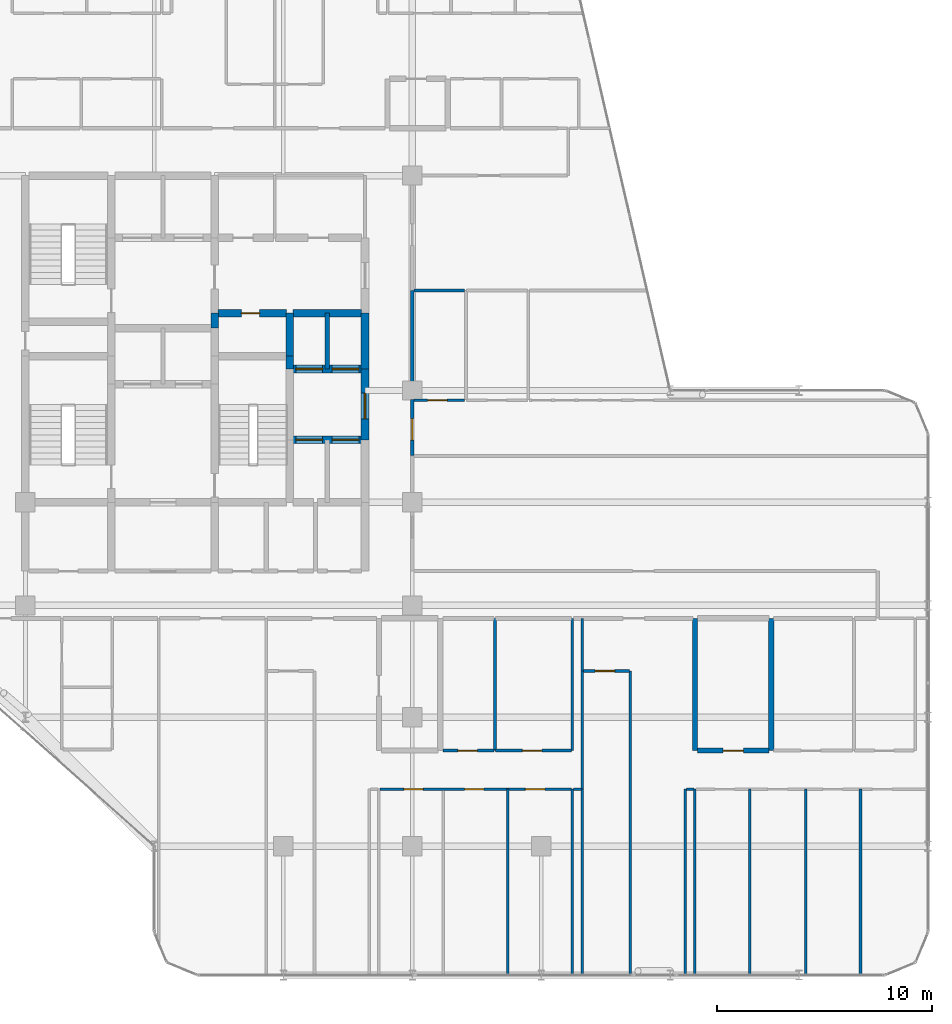
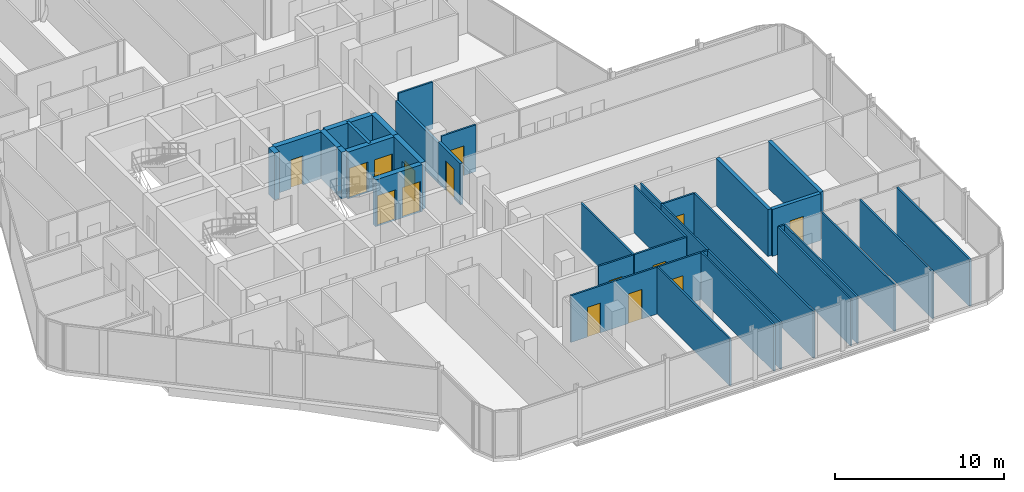
# One storey, part 25 of 29: 36 walls, 15 doors, 15 openings.
"""IFC4 building model written with IfcOpenShell, lengths in metres."""

from ifc_helpers import new_model, si_unit, direction, frame, frame_2d, origin, place, context, subcontext, project, spatial, rectangle, extrude, material, layer, layer_set, type_object, element, fill, save


model = new_model("IFC4")

# Units and contexts
model_context = context("Model", 3, precision=1e-05, world=origin(), true_north=direction((0.0, 1.0)))
body_context = subcontext(model_context, "Body", "Model", "MODEL_VIEW")
ifc_project = project(units=[si_unit("LENGTHUNIT", "METRE"), si_unit("AREAUNIT", "SQUARE_METRE"), si_unit("VOLUMEUNIT", "CUBIC_METRE"), si_unit("PLANEANGLEUNIT", "RADIAN"), si_unit("MASSUNIT", "GRAM", prefix="KILO")], contexts=[model_context])

# Site, building, storey
site_placement = place(None, origin())
site = spatial("IfcSite", under=ifc_project, at=site_placement, CompositionType="ELEMENT")
building_placement = place(site_placement, origin())
building = spatial("IfcBuilding", under=site, at=building_placement, Name="Keshet Zoharim Tower", CompositionType="ELEMENT")
storey_placement = place(building_placement, frame((0.0, 0.0, 192.10009765625)))
storey = spatial("IfcBuildingStorey", under=building, at=storey_placement, Name="L47", CompositionType="ELEMENT", Elevation=192.10009765625)

# Walls
ifc_material_1 = material(Name="Concrete C60/75", Category="concrete")
ifc_layer_1 = layer(ifc_material_1, 0.35009765625)
ifc_layer_set_1 = layer_set([ifc_layer_1], Name="Concrete C60/75")
wall_type_1 = type_object("IfcWallType", Name="WL-CORE-350", PredefinedType="SHEAR", material=ifc_layer_set_1)
wall_1_placement = place(storey_placement, frame((23.800048828125, 30.800048828125, 0.0), z_axis=(0.0, 0.0, 1.0), x_axis=(0.0, 1.0, 0.0)))
element("IfcWall", 1, at=wall_1_placement, inside=storey, type_object=wall_type_1, Name="L47 Core Shear Wall 041", PredefinedType="SHEAR", context=body_context, shape_type="SweptSolid", body=[
    extrude(rectangle(XDim=0.699951171875, YDim=0.35009765625, at=frame_2d((0.35009765625, 0.0))), origin(), (0.0, 0.0, 1.0), 3.389892578125),
])
wall_2_placement = place(storey_placement, frame((27.300048828125, 28.89990234375, 0.0), z_axis=(0.0, 0.0, 1.0), x_axis=(0.0, 1.0, 0.0)))
element("IfcWall", 2, at=wall_2_placement, inside=storey, type_object=wall_type_1, Name="L47 Core Shear Wall 053", PredefinedType="SHEAR", context=body_context, shape_type="SweptSolid", body=[
    extrude(rectangle(XDim=0.60009765625, YDim=0.35009765625, at=frame_2d((0.300048828125, 0.0))), origin(), (0.0, 0.0, 1.0), 3.389892578125),
])
wall_3_placement = place(storey_placement, frame((27.300048828125, 29.5, 0.0), z_axis=(0.0, 0.0, 1.0), x_axis=(0.0, 1.0, 0.0)))
element("IfcWall", 3, at=wall_3_placement, inside=storey, type_object=wall_type_1, Name="L47 Core Shear Wall 054", PredefinedType="SHEAR", context=body_context, shape_type="SweptSolid", body=[
    extrude(rectangle(XDim=2.0, YDim=0.35009765625, at=frame_2d((1.0, 0.0))), origin(), (0.0, 0.0, 1.0), 3.389892578125),
])

# Wall, opening, door
wall_4_placement = place(storey_placement, frame((30.800048828125, 25.60009765625, 0.0), z_axis=(0.0, 0.0, 1.0), x_axis=(0.0, 1.0, 0.0)))
wall_4 = element("IfcWall", 4, at=wall_4_placement, inside=storey, type_object=wall_type_1, Name="L47 Core Shear Wall 062", PredefinedType="SHEAR", context=body_context, shape_type="SweptSolid", body=[
    extrude(rectangle(XDim=3.2998046875, YDim=0.35009765625, at=frame_2d((1.64990234375, 0.0))), origin(), (0.0, 0.0, 1.0), 3.389892578125),
])
opening_1_placement = place(wall_4_placement, frame((0.97802734375, 0.0, 0.0)))
opening_1 = element("IfcOpeningElement", 5, at=opening_1_placement, cuts=wall_4, Name="Opening D-F612", PredefinedType="OPENING", context=body_context, shape_type="SweptSolid", body=[
    extrude(rectangle(XDim=1.199951171875, YDim=2.199951171875, at=frame_2d((0.60009765625, 1.10009765625))), frame((0.0, 0.18505859375, 0.0), z_axis=(0.0, -1.0, 0.0), x_axis=(1.0, 0.0, 0.0)), (0.0, 0.0, 1.0), 0.3701171875),
])
ifc_material_2 = material(Name="Hardwood Timber", Category="wood")
door_type_1 = type_object("IfcDoorType", Name="DR-FD60-120", OperationType="NOTDEFINED", PredefinedType="DOOR", material=ifc_material_2)
door_1_placement = place(opening_1_placement, origin())
door_1 = element("IfcDoor", 6, at=door_1_placement, inside=storey, type_object=door_type_1, Name="L47 East Lift Lobby Fire Door", OperationType="SINGLE_SWING_LEFT", OverallHeight=2.199951171875, OverallWidth=1.199951171875, PredefinedType="DOOR", context=body_context, shape_type="SweptSolid", body=[
    extrude(rectangle(XDim=1.199951171875, YDim=2.199951171875, at=frame_2d((0.60009765625, 1.10009765625))), frame((0.0, 0.02490234375, 0.0), z_axis=(0.0, -1.0, 0.0), x_axis=(1.0, 0.0, 0.0)), (0.0, 0.0, 1.0), 0.050048828125),
])
fill(opening_1, door_1)

# Wall
wall_5_placement = place(storey_placement, frame((30.800048828125, 28.89990234375, 0.0), z_axis=(0.0, 0.0, 1.0), x_axis=(0.0, 1.0, 0.0)))
element("IfcWall", 7, at=wall_5_placement, inside=storey, type_object=wall_type_1, Name="L47 Core Shear Wall 063", PredefinedType="SHEAR", context=body_context, shape_type="SweptSolid", body=[
    extrude(rectangle(XDim=2.60009765625, YDim=0.35009765625, at=frame_2d((1.300048828125, 0.0))), origin(), (0.0, 0.0, 1.0), 3.389892578125),
])

# Wall, openings, doors
wall_6_placement = place(storey_placement, frame((27.4599609375, 25.60009765625, 0.0), z_axis=(0.0, 0.0, 1.0), x_axis=(1.0, 0.0, 0.0)))
wall_6 = element("IfcWall", 8, at=wall_6_placement, inside=storey, type_object=wall_type_1, Name="L47 Core Shear Wall 150", PredefinedType="SHEAR", context=body_context, shape_type="SweptSolid", body=[
    extrude(rectangle(XDim=3.179931640625, YDim=0.35009765625, at=frame_2d((1.58984375, 0.0))), origin(), (0.0, 0.0, 1.0), 3.389892578125),
])
opening_2_placement = place(wall_6_placement, frame((0.1201171875, 0.0, 0.0)))
opening_2 = element("IfcOpeningElement", 9, at=opening_2_placement, cuts=wall_6, Name="Opening LD-01", PredefinedType="OPENING", context=body_context, shape_type="SweptSolid", body=[
    extrude(rectangle(XDim=1.25, YDim=2.199951171875, at=frame_2d((0.625, 1.10009765625))), frame((0.0, 0.18505859375, 0.0), z_axis=(0.0, -1.0, 0.0), x_axis=(1.0, 0.0, 0.0)), (0.0, 0.0, 1.0), 0.3701171875),
])
opening_3_placement = place(wall_6_placement, frame((1.81005859375, 0.0, 0.0)))
opening_3 = element("IfcOpeningElement", 10, at=opening_3_placement, cuts=wall_6, Name="Opening LD-01", PredefinedType="OPENING", context=body_context, shape_type="SweptSolid", body=[
    extrude(rectangle(XDim=1.25, YDim=2.199951171875, at=frame_2d((0.625, 1.10009765625))), frame((0.0, 0.18505859375, 0.0), z_axis=(0.0, -1.0, 0.0), x_axis=(1.0, 0.0, 0.0)), (0.0, 0.0, 1.0), 0.3701171875),
])
ifc_material_3 = material(Name="Steel S355", Category="steel")
door_type_2 = type_object("IfcDoorType", Name="DR-LD01-125", OperationType="DOUBLE_DOOR_SLIDING", PredefinedType="DOOR", material=ifc_material_3)
door_2_placement = place(opening_2_placement, origin())
door_2 = element("IfcDoor", 11, at=door_2_placement, inside=storey, type_object=door_type_2, Name="L47 Passenger Lift Landing Door LF-07", OperationType="DOUBLE_DOOR_SLIDING", OverallHeight=2.199951171875, OverallWidth=1.25, PredefinedType="DOOR", context=body_context, shape_type="SweptSolid", body=[
    extrude(rectangle(XDim=1.25, YDim=2.199951171875, at=frame_2d((0.625, 1.10009765625))), frame((0.0, 0.02490234375, 0.0), z_axis=(0.0, -1.0, 0.0), x_axis=(1.0, 0.0, 0.0)), (0.0, 0.0, 1.0), 0.050048828125),
])
fill(opening_2, door_2)
door_3_placement = place(opening_3_placement, origin())
door_3 = element("IfcDoor", 12, at=door_3_placement, inside=storey, type_object=door_type_2, Name="L47 Passenger Lift Landing Door LF-08", OperationType="DOUBLE_DOOR_SLIDING", OverallHeight=2.199951171875, OverallWidth=1.25, PredefinedType="DOOR", context=body_context, shape_type="SweptSolid", body=[
    extrude(rectangle(XDim=1.25, YDim=2.199951171875, at=frame_2d((0.625, 1.10009765625))), frame((0.0, 0.02490234375, 0.0), z_axis=(0.0, -1.0, 0.0), x_axis=(1.0, 0.0, 0.0)), (0.0, 0.0, 1.0), 0.050048828125),
])
fill(opening_3, door_3)

wall_7_placement = place(storey_placement, frame((27.4599609375, 28.89990234375, 0.0), z_axis=(0.0, 0.0, 1.0), x_axis=(1.0, 0.0, 0.0)))
wall_7 = element("IfcWall", 13, at=wall_7_placement, inside=storey, type_object=wall_type_1, Name="L47 Core Shear Wall 161", PredefinedType="SHEAR", context=body_context, shape_type="SweptSolid", body=[
    extrude(rectangle(XDim=3.179931640625, YDim=0.35009765625, at=frame_2d((1.58984375, 0.0))), origin(), (0.0, 0.0, 1.0), 3.389892578125),
])
opening_4_placement = place(wall_7_placement, frame((0.1201171875, 0.0, 0.0)))
opening_4 = element("IfcOpeningElement", 14, at=opening_4_placement, cuts=wall_7, Name="Opening LD-01", PredefinedType="OPENING", context=body_context, shape_type="SweptSolid", body=[
    extrude(rectangle(XDim=1.25, YDim=2.199951171875, at=frame_2d((0.625, 1.10009765625))), frame((0.0, 0.18505859375, 0.0), z_axis=(0.0, -1.0, 0.0), x_axis=(1.0, 0.0, 0.0)), (0.0, 0.0, 1.0), 0.3701171875),
])
opening_5_placement = place(wall_7_placement, frame((1.81005859375, 0.0, 0.0)))
opening_5 = element("IfcOpeningElement", 15, at=opening_5_placement, cuts=wall_7, Name="Opening LD-01", PredefinedType="OPENING", context=body_context, shape_type="SweptSolid", body=[
    extrude(rectangle(XDim=1.25, YDim=2.199951171875, at=frame_2d((0.625, 1.10009765625))), frame((0.0, 0.18505859375, 0.0), z_axis=(0.0, -1.0, 0.0), x_axis=(1.0, 0.0, 0.0)), (0.0, 0.0, 1.0), 0.3701171875),
])
door_4_placement = place(opening_4_placement, origin())
door_4 = element("IfcDoor", 16, at=door_4_placement, inside=storey, type_object=door_type_2, Name="L47 Passenger Lift Landing Door LF-05", OperationType="DOUBLE_DOOR_SLIDING", OverallHeight=2.199951171875, OverallWidth=1.25, PredefinedType="DOOR", context=body_context, shape_type="SweptSolid", body=[
    extrude(rectangle(XDim=1.25, YDim=2.199951171875, at=frame_2d((0.625, 1.10009765625))), frame((0.0, 0.02490234375, 0.0), z_axis=(0.0, -1.0, 0.0), x_axis=(1.0, 0.0, 0.0)), (0.0, 0.0, 1.0), 0.050048828125),
])
fill(opening_4, door_4)
door_5_placement = place(opening_5_placement, origin())
door_5 = element("IfcDoor", 17, at=door_5_placement, inside=storey, type_object=door_type_2, Name="L47 Passenger Lift Landing Door LF-06", OperationType="DOUBLE_DOOR_SLIDING", OverallHeight=2.199951171875, OverallWidth=1.25, PredefinedType="DOOR", context=body_context, shape_type="SweptSolid", body=[
    extrude(rectangle(XDim=1.25, YDim=2.199951171875, at=frame_2d((0.625, 1.10009765625))), frame((0.0, 0.02490234375, 0.0), z_axis=(0.0, -1.0, 0.0), x_axis=(1.0, 0.0, 0.0)), (0.0, 0.0, 1.0), 0.050048828125),
])
fill(opening_5, door_5)

# Wall, opening, door
wall_8_placement = place(storey_placement, frame((23.9599609375, 31.5, 0.0), z_axis=(0.0, 0.0, 1.0), x_axis=(1.0, 0.0, 0.0)))
wall_8 = element("IfcWall", 18, at=wall_8_placement, inside=storey, type_object=wall_type_1, Name="L47 Core Shear Wall 168", PredefinedType="SHEAR", context=body_context, shape_type="SweptSolid", body=[
    extrude(rectangle(XDim=3.179931640625, YDim=0.35009765625, at=frame_2d((1.58984375, 0.0))), origin(), (0.0, 0.0, 1.0), 3.389892578125),
])
opening_6_placement = place(wall_8_placement, frame((1.093994140625, 0.0, 0.0)))
opening_6 = element("IfcOpeningElement", 19, at=opening_6_placement, cuts=wall_8, Name="Opening D-RS85", PredefinedType="OPENING", context=body_context, shape_type="SweptSolid", body=[
    extrude(rectangle(XDim=0.85009765625, YDim=2.10009765625, at=frame_2d((0.425048828125, 1.050048828125))), frame((0.0, 0.18505859375, 0.0), z_axis=(0.0, -1.0, 0.0), x_axis=(1.0, 0.0, 0.0)), (0.0, 0.0, 1.0), 0.3701171875),
])
door_type_3 = type_object("IfcDoorType", Name="DR-RIS-085", OperationType="NOTDEFINED", PredefinedType="DOOR", material=ifc_material_2)
door_6_placement = place(opening_6_placement, origin())
door_6 = element("IfcDoor", 20, at=door_6_placement, inside=storey, type_object=door_type_3, Name="L47 Telecom Riser Access Cupboard Door", OperationType="SINGLE_SWING_LEFT", OverallHeight=2.10009765625, OverallWidth=0.85009765625, PredefinedType="DOOR", context=body_context, shape_type="SweptSolid", body=[
    extrude(rectangle(XDim=0.85009765625, YDim=2.10009765625, at=frame_2d((0.425048828125, 1.050048828125))), frame((0.0, 0.02490234375, 0.0), z_axis=(0.0, -1.0, 0.0), x_axis=(1.0, 0.0, 0.0)), (0.0, 0.0, 1.0), 0.050048828125),
])
fill(opening_6, door_6)

# Wall
wall_9_placement = place(storey_placement, frame((27.4599609375, 31.5, 0.0), z_axis=(0.0, 0.0, 1.0), x_axis=(1.0, 0.0, 0.0)))
element("IfcWall", 21, at=wall_9_placement, inside=storey, type_object=wall_type_1, Name="L47 Core Shear Wall 169", PredefinedType="SHEAR", context=body_context, shape_type="SweptSolid", body=[
    extrude(rectangle(XDim=3.179931640625, YDim=0.35009765625, at=frame_2d((1.58984375, 0.0))), origin(), (0.0, 0.0, 1.0), 3.389892578125),
])

# Wall, opening, door
ifc_material_4 = material(Name="Gypsum Plasterboard", Category="gypsum")
ifc_layer_2 = layer(ifc_material_4, 0.179931640625)
ifc_layer_set_2 = layer_set([ifc_layer_2], Name="Gypsum Plasterboard")
wall_type_2 = type_object("IfcWallType", Name="WL-CORR-180", PredefinedType="STANDARD", material=ifc_layer_set_2)
wall_10_placement = place(storey_placement, frame((33.0, 24.8701171875, 0.0), z_axis=(0.0, 0.0, 1.0), x_axis=(0.0, 1.0, 0.0)))
wall_10 = element("IfcWall", 22, at=wall_10_placement, inside=storey, type_object=wall_type_2, Name="L47 Interior Wall 073", PredefinedType="STANDARD", context=body_context, shape_type="SweptSolid", body=[
    extrude(rectangle(XDim=2.599853515625, YDim=0.179931640625, at=frame_2d((1.2998046875, 0.0))), origin(), (0.0, 0.0, 1.0), 2.989990234375),
])
opening_7_placement = place(wall_10_placement, frame((0.722900390625, 0.0, 0.0)))
opening_7 = element("IfcOpeningElement", 23, at=opening_7_placement, cuts=wall_10, Name="Opening D-F310", PredefinedType="OPENING", context=body_context, shape_type="SweptSolid", body=[
    extrude(rectangle(XDim=1.0, YDim=2.14990234375, at=frame_2d((0.5, 1.074951171875))), frame((0.0, 0.10009765625, 0.0), z_axis=(0.0, -1.0, 0.0), x_axis=(1.0, 0.0, 0.0)), (0.0, 0.0, 1.0), 0.199951171875),
])
door_type_4 = type_object("IfcDoorType", Name="DR-FD30-100", OperationType="NOTDEFINED", PredefinedType="DOOR", material=ifc_material_2)
door_7_placement = place(opening_7_placement, origin())
door_7 = element("IfcDoor", 24, at=door_7_placement, inside=storey, type_object=door_type_4, Name="Apartment 4708 Entrance Door", OperationType="SINGLE_SWING_LEFT", OverallHeight=2.14990234375, OverallWidth=1.0, PredefinedType="DOOR", context=body_context, shape_type="SweptSolid", body=[
    extrude(rectangle(XDim=1.0, YDim=2.14990234375, at=frame_2d((0.5, 1.074951171875))), frame((0.0, 0.02490234375, 0.0), z_axis=(0.0, -1.0, 0.0), x_axis=(1.0, 0.0, 0.0)), (0.0, 0.0, 1.0), 0.050048828125),
])
fill(opening_7, door_7)

# Walls
wall_11_placement = place(storey_placement, frame((33.0, 27.469970703125, 0.0), z_axis=(0.0, 0.0, 1.0), x_axis=(0.0, 1.0, 0.0)))
element("IfcWall", 25, at=wall_11_placement, inside=storey, type_object=wall_type_2, Name="L47 Interior Wall 074", PredefinedType="STANDARD", context=body_context, shape_type="SweptSolid", body=[
    extrude(rectangle(XDim=5.070068359375, YDim=0.179931640625, at=frame_2d((2.53515625, 0.0))), origin(), (0.0, 0.0, 1.0), 2.889892578125),
])
ifc_material_5 = material(Name="Concrete C50/60", Category="concrete")
ifc_layer_3 = layer(ifc_material_5, 0.199951171875)
ifc_layer_set_3 = layer_set([ifc_layer_3], Name="Concrete C50/60")
wall_type_3 = type_object("IfcWallType", Name="WL-FIRE-200", PredefinedType="STANDARD", material=ifc_layer_set_3)
wall_12_placement = place(storey_placement, frame((29.050048828125, 28.89990234375, 0.0), z_axis=(0.0, 0.0, 1.0), x_axis=(0.0, 1.0, 0.0)))
element("IfcWall", 26, at=wall_12_placement, inside=storey, type_object=wall_type_3, Name="L47 Interior Wall 059", PredefinedType="STANDARD", context=body_context, shape_type="SweptSolid", body=[
    extrude(rectangle(XDim=2.60009765625, YDim=0.199951171875, at=frame_2d((1.300048828125, 0.0))), origin(), (0.0, 0.0, 1.0), 3.389892578125),
])
ifc_layer_4 = layer(ifc_material_5, 0.25)
ifc_layer_set_4 = layer_set([ifc_layer_4], Name="Concrete C50/60")
wall_type_4 = type_object("IfcWallType", Name="WL-MAMAD-250", PredefinedType="STANDARD", material=ifc_layer_set_4)
for number, where, z_axis, x_axis, name in (
    (27, (46.14990234375, 11.14990234375, 0.0), (0.0, 0.0, 1.0), (0.0, 1.0, 0.0), "L47 Interior Wall 096"),
    (28, (49.699951171875, 11.14990234375, 0.0), (0.0, 0.0, 1.0), (0.0, 1.0, 0.0), "L47 Interior Wall 098"),
):
    element("IfcWall", number, at=place(storey_placement, frame(where, z_axis=z_axis, x_axis=x_axis)), inside=storey, type_object=wall_type_4, Name=name, PredefinedType="STANDARD", context=body_context, shape_type="SweptSolid", body=[
        extrude(rectangle(XDim=6.150146484375, YDim=0.25, at=frame_2d((3.0751953125, 0.0))), origin(), (0.0, 0.0, 1.0), 3.389892578125),
    ])

# Wall, opening, door
wall_13_placement = place(storey_placement, frame((46.27001953125, 11.14990234375, 0.0), z_axis=(0.0, 0.0, 1.0), x_axis=(1.0, 0.0, 0.0)))
wall_13 = element("IfcWall", 29, at=wall_13_placement, inside=storey, type_object=wall_type_4, Name="L47 Interior Wall 112", PredefinedType="STANDARD", context=body_context, shape_type="SweptSolid", body=[
    extrude(rectangle(XDim=3.320068359375, YDim=0.25, at=frame_2d((1.66015625, 0.0))), origin(), (0.0, 0.0, 1.0), 3.389892578125),
])
opening_8_placement = place(wall_13_placement, frame((1.18505859375, 0.0, 0.0)))
opening_8 = element("IfcOpeningElement", 30, at=opening_8_placement, cuts=wall_13, Name="Opening D-F695", PredefinedType="OPENING", context=body_context, shape_type="SweptSolid", body=[
    extrude(rectangle(XDim=0.949951171875, YDim=2.14990234375, at=frame_2d((0.47509765625, 1.074951171875))), frame((0.0, 0.135009765625, 0.0), z_axis=(0.0, -1.0, 0.0), x_axis=(1.0, 0.0, 0.0)), (0.0, 0.0, 1.0), 0.27001953125),
])
door_type_5 = type_object("IfcDoorType", Name="DR-FD60-095", OperationType="NOTDEFINED", PredefinedType="DOOR", material=ifc_material_2)
door_8_placement = place(opening_8_placement, origin())
door_8 = element("IfcDoor", 31, at=door_8_placement, inside=storey, type_object=door_type_5, Name="Apartment 4703 Study and Shelter Room Door", OperationType="SINGLE_SWING_RIGHT", OverallHeight=2.14990234375, OverallWidth=0.949951171875, PredefinedType="DOOR", context=body_context, shape_type="SweptSolid", body=[
    extrude(rectangle(XDim=0.949951171875, YDim=2.14990234375, at=frame_2d((0.47509765625, 1.074951171875))), frame((0.0, 0.02490234375, 0.0), z_axis=(0.0, -1.0, 0.0), x_axis=(1.0, 0.0, 0.0)), (0.0, 0.0, 1.0), 0.050048828125),
])
fill(opening_8, door_8)

# Walls
ifc_layer_5 = layer(ifc_material_4, 0.1201171875)
ifc_layer_set_5 = layer_set([ifc_layer_5], Name="Gypsum Plasterboard")
wall_type_5 = type_object("IfcWallType", Name="WL-PART-120", PredefinedType="PARTITIONING", material=ifc_layer_set_5)
for number, where, z_axis, x_axis, name in (
    (32, (37.449951171875, 0.7099609375, 0.0), (0.0, 0.0, 1.0), (0.0, 1.0, 0.0), "L47 Interior Wall 083"),
    (33, (40.449951171875, 0.7099609375, 0.0), (0.0, 0.0, 1.0), (0.0, 1.0, 0.0), "L47 Interior Wall 087"),
):
    element("IfcWall", number, at=place(storey_placement, frame(where, z_axis=z_axis, x_axis=x_axis)), inside=storey, type_object=wall_type_5, Name=name, PredefinedType="PARTITIONING", context=body_context, shape_type="SweptSolid", body=[
        extrude(rectangle(XDim=8.64013671875, YDim=0.1201171875, at=frame_2d((4.320068359375, 0.0))), origin(), (0.0, 0.0, 1.0), 3.389892578125),
    ])
wall_14_placement = place(storey_placement, frame((40.449951171875, 11.14990234375, 0.0), z_axis=(0.0, 0.0, 1.0), x_axis=(0.0, 1.0, 0.0)))
element("IfcWall", 34, at=wall_14_placement, inside=storey, type_object=wall_type_5, Name="L47 Interior Wall 088", PredefinedType="PARTITIONING", context=body_context, shape_type="SweptSolid", body=[
    extrude(rectangle(XDim=6.150146484375, YDim=0.1201171875, at=frame_2d((3.0751953125, 0.0))), origin(), (0.0, 0.0, 1.0), 3.389892578125),
])
wall_15_placement = place(storey_placement, frame((40.89990234375, 0.7099609375, 0.0), z_axis=(0.0, 0.0, 1.0), x_axis=(0.0, 1.0, 0.0)))
element("IfcWall", 35, at=wall_15_placement, inside=storey, type_object=wall_type_5, Name="L47 Interior Wall 090", PredefinedType="PARTITIONING", context=body_context, shape_type="SweptSolid", body=[
    extrude(rectangle(XDim=8.64013671875, YDim=0.1201171875, at=frame_2d((4.320068359375, 0.0))), origin(), (0.0, 0.0, 1.0), 3.389892578125),
])
wall_16_placement = place(storey_placement, frame((40.89990234375, 9.35009765625, 0.0), z_axis=(0.0, 0.0, 1.0), x_axis=(0.0, 1.0, 0.0)))
element("IfcWall", 36, at=wall_16_placement, inside=storey, type_object=wall_type_5, Name="L47 Interior Wall 091", PredefinedType="PARTITIONING", context=body_context, shape_type="SweptSolid", body=[
    extrude(rectangle(XDim=5.5, YDim=0.1201171875, at=frame_2d((2.75, 0.0))), origin(), (0.0, 0.0, 1.0), 3.389892578125),
])
wall_17_placement = place(storey_placement, frame((40.89990234375, 14.85009765625, 0.0), z_axis=(0.0, 0.0, 1.0), x_axis=(0.0, 1.0, 0.0)))
element("IfcWall", 37, at=wall_17_placement, inside=storey, type_object=wall_type_5, Name="L47 Interior Wall 092", PredefinedType="PARTITIONING", context=body_context, shape_type="SweptSolid", body=[
    extrude(rectangle(XDim=2.449951171875, YDim=0.1201171875, at=frame_2d((1.22509765625, 0.0))), origin(), (0.0, 0.0, 1.0), 3.389892578125),
])
wall_18_placement = place(storey_placement, frame((43.14990234375, 0.7099609375, 0.0), z_axis=(0.0, 0.0, 1.0), x_axis=(0.0, 1.0, 0.0)))
element("IfcWall", 38, at=wall_18_placement, inside=storey, type_object=wall_type_5, Name="L47 Interior Wall 093", PredefinedType="PARTITIONING", context=body_context, shape_type="SweptSolid", body=[
    extrude(rectangle(XDim=14.14013671875, YDim=0.1201171875, at=frame_2d((7.070068359375, 0.0))), origin(), (0.0, 0.0, 1.0), 3.389892578125),
])
for number, where, z_axis, x_axis, name in (
    (39, (45.699951171875, 0.7099609375, 0.0), (0.0, 0.0, 1.0), (0.0, 1.0, 0.0), "L47 Interior Wall 094"),
    (40, (46.14990234375, 0.7099609375, 0.0), (0.0, 0.0, 1.0), (0.0, 1.0, 0.0), "L47 Interior Wall 095"),
    (41, (48.699951171875, 0.7099609375, 0.0), (0.0, 0.0, 1.0), (0.0, 1.0, 0.0), "L47 Interior Wall 097"),
    (42, (51.300048828125, 0.7099609375, 0.0), (0.0, 0.0, 1.0), (0.0, 1.0, 0.0), "L47 Interior Wall 099"),
    (43, (53.85009765625, 0.7099609375, 0.0), (0.0, 0.0, 1.0), (0.0, 1.0, 0.0), "L47 Interior Wall 101"),
):
    element("IfcWall", number, at=place(storey_placement, frame(where, z_axis=z_axis, x_axis=x_axis)), inside=storey, type_object=wall_type_5, Name=name, PredefinedType="PARTITIONING", context=body_context, shape_type="SweptSolid", body=[
        extrude(rectangle(XDim=8.64013671875, YDim=0.1201171875, at=frame_2d((4.320068359375, 0.0))), origin(), (0.0, 0.0, 1.0), 3.389892578125),
    ])

# Wall, openings, doors
wall_19_placement = place(storey_placement, frame((31.4951171875, 9.35009765625, 0.0), z_axis=(0.0, 0.0, 1.0), x_axis=(1.0, 0.0, 0.0)))
wall_19 = element("IfcWall", 44, at=wall_19_placement, inside=storey, type_object=wall_type_5, Name="L47 Interior Wall 105", PredefinedType="PARTITIONING", context=body_context, shape_type="SweptSolid", body=[
    extrude(rectangle(XDim=8.919921875, YDim=0.1201171875, at=frame_2d((4.4599609375, 0.0))), origin(), (0.0, 0.0, 1.0), 3.389892578125),
])
opening_9_placement = place(wall_19_placement, frame((1.111083984375, 0.0, 0.0)))
opening_9 = element("IfcOpeningElement", 45, at=opening_9_placement, cuts=wall_19, Name="Opening D-IN90", PredefinedType="OPENING", context=body_context, shape_type="SweptSolid", body=[
    extrude(rectangle(XDim=0.89990234375, YDim=2.14990234375, at=frame_2d((0.449951171875, 1.074951171875))), frame((0.0, 0.070068359375, 0.0), z_axis=(0.0, -1.0, 0.0), x_axis=(1.0, 0.0, 0.0)), (0.0, 0.0, 1.0), 0.14013671875),
])
opening_10_placement = place(wall_19_placement, frame((3.93701171875, 0.0, 0.0)))
opening_10 = element("IfcOpeningElement", 46, at=opening_10_placement, cuts=wall_19, Name="Opening D-IN90", PredefinedType="OPENING", context=body_context, shape_type="SweptSolid", body=[
    extrude(rectangle(XDim=0.89990234375, YDim=2.14990234375, at=frame_2d((0.449951171875, 1.074951171875))), frame((0.0, 0.070068359375, 0.0), z_axis=(0.0, -1.0, 0.0), x_axis=(1.0, 0.0, 0.0)), (0.0, 0.0, 1.0), 0.14013671875),
])
opening_11_placement = place(wall_19_placement, frame((6.76806640625, 0.0, 0.0)))
opening_11 = element("IfcOpeningElement", 47, at=opening_11_placement, cuts=wall_19, Name="Opening D-IN90", PredefinedType="OPENING", context=body_context, shape_type="SweptSolid", body=[
    extrude(rectangle(XDim=0.89990234375, YDim=2.14990234375, at=frame_2d((0.449951171875, 1.074951171875))), frame((0.0, 0.070068359375, 0.0), z_axis=(0.0, -1.0, 0.0), x_axis=(1.0, 0.0, 0.0)), (0.0, 0.0, 1.0), 0.14013671875),
])
door_type_6 = type_object("IfcDoorType", Name="DR-INT-090", OperationType="NOTDEFINED", PredefinedType="DOOR", material=ifc_material_2)
door_9_placement = place(opening_9_placement, origin())
door_9 = element("IfcDoor", 48, at=door_9_placement, inside=storey, type_object=door_type_6, Name="Apartment 4702 Bedroom 1 Door", OperationType="SINGLE_SWING_LEFT", OverallHeight=2.14990234375, OverallWidth=0.89990234375, PredefinedType="DOOR", context=body_context, shape_type="SweptSolid", body=[
    extrude(rectangle(XDim=0.89990234375, YDim=2.14990234375, at=frame_2d((0.449951171875, 1.074951171875))), frame((0.0, 0.02490234375, 0.0), z_axis=(0.0, -1.0, 0.0), x_axis=(1.0, 0.0, 0.0)), (0.0, 0.0, 1.0), 0.050048828125),
])
fill(opening_9, door_9)
door_10_placement = place(opening_10_placement, origin())
door_10 = element("IfcDoor", 49, at=door_10_placement, inside=storey, type_object=door_type_6, Name="Apartment 4702 Bedroom 2 Door", OperationType="SINGLE_SWING_RIGHT", OverallHeight=2.14990234375, OverallWidth=0.89990234375, PredefinedType="DOOR", context=body_context, shape_type="SweptSolid", body=[
    extrude(rectangle(XDim=0.89990234375, YDim=2.14990234375, at=frame_2d((0.449951171875, 1.074951171875))), frame((0.0, 0.02490234375, 0.0), z_axis=(0.0, -1.0, 0.0), x_axis=(1.0, 0.0, 0.0)), (0.0, 0.0, 1.0), 0.050048828125),
])
fill(opening_10, door_10)
door_11_placement = place(opening_11_placement, origin())
door_11 = element("IfcDoor", 50, at=door_11_placement, inside=storey, type_object=door_type_6, Name="Apartment 4702 Bedroom 3 Door", OperationType="SINGLE_SWING_LEFT", OverallHeight=2.14990234375, OverallWidth=0.89990234375, PredefinedType="DOOR", context=body_context, shape_type="SweptSolid", body=[
    extrude(rectangle(XDim=0.89990234375, YDim=2.14990234375, at=frame_2d((0.449951171875, 1.074951171875))), frame((0.0, 0.02490234375, 0.0), z_axis=(0.0, -1.0, 0.0), x_axis=(1.0, 0.0, 0.0)), (0.0, 0.0, 1.0), 0.050048828125),
])
fill(opening_11, door_11)

# Walls
for number, where, z_axis, x_axis, name in (
    (51, (40.5048828125, 9.35009765625, 0.0), (0.0, 0.0, 1.0), (1.0, 0.0, 0.0), "L47 Interior Wall 106"),
    (52, (45.7548828125, 9.35009765625, 0.0), (0.0, 0.0, 1.0), (1.0, 0.0, 0.0), "L47 Interior Wall 107"),
):
    element("IfcWall", number, at=place(storey_placement, frame(where, z_axis=z_axis, x_axis=x_axis)), inside=storey, type_object=wall_type_5, Name=name, PredefinedType="PARTITIONING", context=body_context, shape_type="SweptSolid", body=[
        extrude(rectangle(XDim=0.360107421875, YDim=0.1201171875, at=frame_2d((0.18017578125, 0.0))), origin(), (0.0, 0.0, 1.0), 3.389892578125),
    ])

# Wall, opening, door
wall_20_placement = place(storey_placement, frame((36.883056640625, 11.14990234375, 0.0), z_axis=(0.0, 0.0, 1.0), x_axis=(1.0, 0.0, 0.0)))
wall_20 = element("IfcWall", 53, at=wall_20_placement, inside=storey, type_object=wall_type_5, Name="L47 Interior Wall 111", PredefinedType="PARTITIONING", context=body_context, shape_type="SweptSolid", body=[
    extrude(rectangle(XDim=3.531982421875, YDim=0.1201171875, at=frame_2d((1.76611328125, 0.0))), origin(), (0.0, 0.0, 1.0), 3.389892578125),
])
opening_12_placement = place(wall_20_placement, frame((1.241943359375, 0.0, 0.0)))
opening_12 = element("IfcOpeningElement", 54, at=opening_12_placement, cuts=wall_20, Name="Opening D-IN90", PredefinedType="OPENING", context=body_context, shape_type="SweptSolid", body=[
    extrude(rectangle(XDim=0.89990234375, YDim=2.14990234375, at=frame_2d((0.449951171875, 1.074951171875))), frame((0.0, 0.070068359375, 0.0), z_axis=(0.0, -1.0, 0.0), x_axis=(1.0, 0.0, 0.0)), (0.0, 0.0, 1.0), 0.14013671875),
])
door_12_placement = place(opening_12_placement, origin())
door_12 = element("IfcDoor", 55, at=door_12_placement, inside=storey, type_object=door_type_6, Name="Apartment 4702 Kitchen Door", OperationType="SINGLE_SWING_LEFT", OverallHeight=2.14990234375, OverallWidth=0.89990234375, PredefinedType="DOOR", context=body_context, shape_type="SweptSolid", body=[
    extrude(rectangle(XDim=0.89990234375, YDim=2.14990234375, at=frame_2d((0.449951171875, 1.074951171875))), frame((0.0, 0.02490234375, 0.0), z_axis=(0.0, -1.0, 0.0), x_axis=(1.0, 0.0, 0.0)), (0.0, 0.0, 1.0), 0.050048828125),
])
fill(opening_12, door_12)

wall_21_placement = place(storey_placement, frame((40.955078125, 14.85009765625, 0.0), z_axis=(0.0, 0.0, 1.0), x_axis=(1.0, 0.0, 0.0)))
wall_21 = element("IfcWall", 56, at=wall_21_placement, inside=storey, type_object=wall_type_5, Name="L47 Interior Wall 118", PredefinedType="PARTITIONING", context=body_context, shape_type="SweptSolid", body=[
    extrude(rectangle(XDim=2.159912109375, YDim=0.1201171875, at=frame_2d((1.080078125, 0.0))), origin(), (0.0, 0.0, 1.0), 3.389892578125),
])
opening_13_placement = place(wall_21_placement, frame((0.552978515625, 0.0, 0.0)))
opening_13 = element("IfcOpeningElement", 57, at=opening_13_placement, cuts=wall_21, Name="Opening D-IN90", PredefinedType="OPENING", context=body_context, shape_type="SweptSolid", body=[
    extrude(rectangle(XDim=0.89990234375, YDim=2.14990234375, at=frame_2d((0.449951171875, 1.074951171875))), frame((0.0, 0.070068359375, 0.0), z_axis=(0.0, -1.0, 0.0), x_axis=(1.0, 0.0, 0.0)), (0.0, 0.0, 1.0), 0.14013671875),
])
door_13_placement = place(opening_13_placement, origin())
door_13 = element("IfcDoor", 58, at=door_13_placement, inside=storey, type_object=door_type_6, Name="Apartment 4703 Formal Dining Room Door", OperationType="SINGLE_SWING_RIGHT", OverallHeight=2.14990234375, OverallWidth=0.89990234375, PredefinedType="DOOR", context=body_context, shape_type="SweptSolid", body=[
    extrude(rectangle(XDim=0.89990234375, YDim=2.14990234375, at=frame_2d((0.449951171875, 1.074951171875))), frame((0.0, 0.02490234375, 0.0), z_axis=(0.0, -1.0, 0.0), x_axis=(1.0, 0.0, 0.0)), (0.0, 0.0, 1.0), 0.050048828125),
])
fill(opening_13, door_13)

wall_22_placement = place(storey_placement, frame((33.074951171875, 27.449951171875, 0.0), z_axis=(0.0, 0.0, 1.0), x_axis=(1.0, 0.0, 0.0)))
wall_22 = element("IfcWall", 59, at=wall_22_placement, inside=storey, type_object=wall_type_5, Name="L47 Interior Wall 153", PredefinedType="PARTITIONING", context=body_context, shape_type="SweptSolid", body=[
    extrude(rectangle(XDim=2.364013671875, YDim=0.1201171875, at=frame_2d((1.18212890625, 0.0))), origin(), (0.0, 0.0, 1.0), 3.389892578125),
])
opening_14_placement = place(wall_22_placement, frame((0.64111328125, 0.0, 0.0)))
opening_14 = element("IfcOpeningElement", 60, at=opening_14_placement, cuts=wall_22, Name="Opening D-IN90", PredefinedType="OPENING", context=body_context, shape_type="SweptSolid", body=[
    extrude(rectangle(XDim=0.89990234375, YDim=2.14990234375, at=frame_2d((0.449951171875, 1.074951171875))), frame((0.0, 0.070068359375, 0.0), z_axis=(0.0, -1.0, 0.0), x_axis=(1.0, 0.0, 0.0)), (0.0, 0.0, 1.0), 0.14013671875),
])
door_14_placement = place(opening_14_placement, origin())
door_14 = element("IfcDoor", 61, at=door_14_placement, inside=storey, type_object=door_type_6, Name="Apartment 4708 Kitchen Door", OperationType="SINGLE_SWING_RIGHT", OverallHeight=2.14990234375, OverallWidth=0.89990234375, PredefinedType="DOOR", context=body_context, shape_type="SweptSolid", body=[
    extrude(rectangle(XDim=0.89990234375, YDim=2.14990234375, at=frame_2d((0.449951171875, 1.074951171875))), frame((0.0, 0.02490234375, 0.0), z_axis=(0.0, -1.0, 0.0), x_axis=(1.0, 0.0, 0.0)), (0.0, 0.0, 1.0), 0.050048828125),
])
fill(opening_14, door_14)

# Walls
wall_23_placement = place(storey_placement, frame((33.074951171875, 32.550048828125, 0.0), z_axis=(0.0, 0.0, 1.0), x_axis=(1.0, 0.0, 0.0)))
element("IfcWall", 62, at=wall_23_placement, inside=storey, type_object=wall_type_5, Name="L47 Interior Wall 170", PredefinedType="PARTITIONING", context=body_context, shape_type="SweptSolid", body=[
    extrude(rectangle(XDim=2.364013671875, YDim=0.1201171875, at=frame_2d((1.18212890625, 0.0))), origin(), (0.0, 0.0, 1.0), 3.389892578125),
])
ifc_layer_6 = layer(ifc_material_4, 0.1201171875)
ifc_layer_set_6 = layer_set([ifc_layer_6], Name="Gypsum Plasterboard")
wall_type_6 = type_object("IfcWallType", Name="WL-WET-120", PredefinedType="PARTITIONING", material=ifc_layer_set_6)
wall_24_placement = place(storey_placement, frame((36.85009765625, 11.14990234375, 0.0), z_axis=(0.0, 0.0, 1.0), x_axis=(0.0, 1.0, 0.0)))
element("IfcWall", 63, at=wall_24_placement, inside=storey, type_object=wall_type_6, Name="L47 Interior Wall 081", PredefinedType="PARTITIONING", context=body_context, shape_type="SweptSolid", body=[
    extrude(rectangle(XDim=6.150146484375, YDim=0.1201171875, at=frame_2d((3.0751953125, 0.0))), origin(), (0.0, 0.0, 1.0), 3.389892578125),
])

# Wall, opening, door
wall_25_placement = place(storey_placement, frame((34.425048828125, 11.14990234375, 0.0), z_axis=(0.0, 0.0, 1.0), x_axis=(1.0, 0.0, 0.0)))
wall_25 = element("IfcWall", 64, at=wall_25_placement, inside=storey, type_object=wall_type_6, Name="L47 Interior Wall 110", PredefinedType="PARTITIONING", context=body_context, shape_type="SweptSolid", body=[
    extrude(rectangle(XDim=2.367919921875, YDim=0.1201171875, at=frame_2d((1.18408203125, 0.0))), origin(), (0.0, 0.0, 1.0), 3.389892578125),
])
opening_15_placement = place(wall_25_placement, frame((0.701904296875, 0.0, 0.0)))
opening_15 = element("IfcOpeningElement", 65, at=opening_15_placement, cuts=wall_25, Name="Opening D-WT90", PredefinedType="OPENING", context=body_context, shape_type="SweptSolid", body=[
    extrude(rectangle(XDim=0.89990234375, YDim=2.10009765625, at=frame_2d((0.449951171875, 1.050048828125))), frame((0.0, 0.070068359375, 0.0), z_axis=(0.0, -1.0, 0.0), x_axis=(1.0, 0.0, 0.0)), (0.0, 0.0, 1.0), 0.14013671875),
])
door_type_7 = type_object("IfcDoorType", Name="DR-WET-090", OperationType="NOTDEFINED", PredefinedType="DOOR", material=ifc_material_2)
door_15_placement = place(opening_15_placement, origin())
door_15 = element("IfcDoor", 66, at=door_15_placement, inside=storey, type_object=door_type_7, Name="Apartment 4702 Bathroom Door", OperationType="SINGLE_SWING_RIGHT", OverallHeight=2.10009765625, OverallWidth=0.89990234375, PredefinedType="DOOR", context=body_context, shape_type="SweptSolid", body=[
    extrude(rectangle(XDim=0.89990234375, YDim=2.10009765625, at=frame_2d((0.449951171875, 1.050048828125))), frame((0.0, 0.02490234375, 0.0), z_axis=(0.0, -1.0, 0.0), x_axis=(1.0, 0.0, 0.0)), (0.0, 0.0, 1.0), 0.050048828125),
])
fill(opening_15, door_15)

save(model, "model.ifc")
